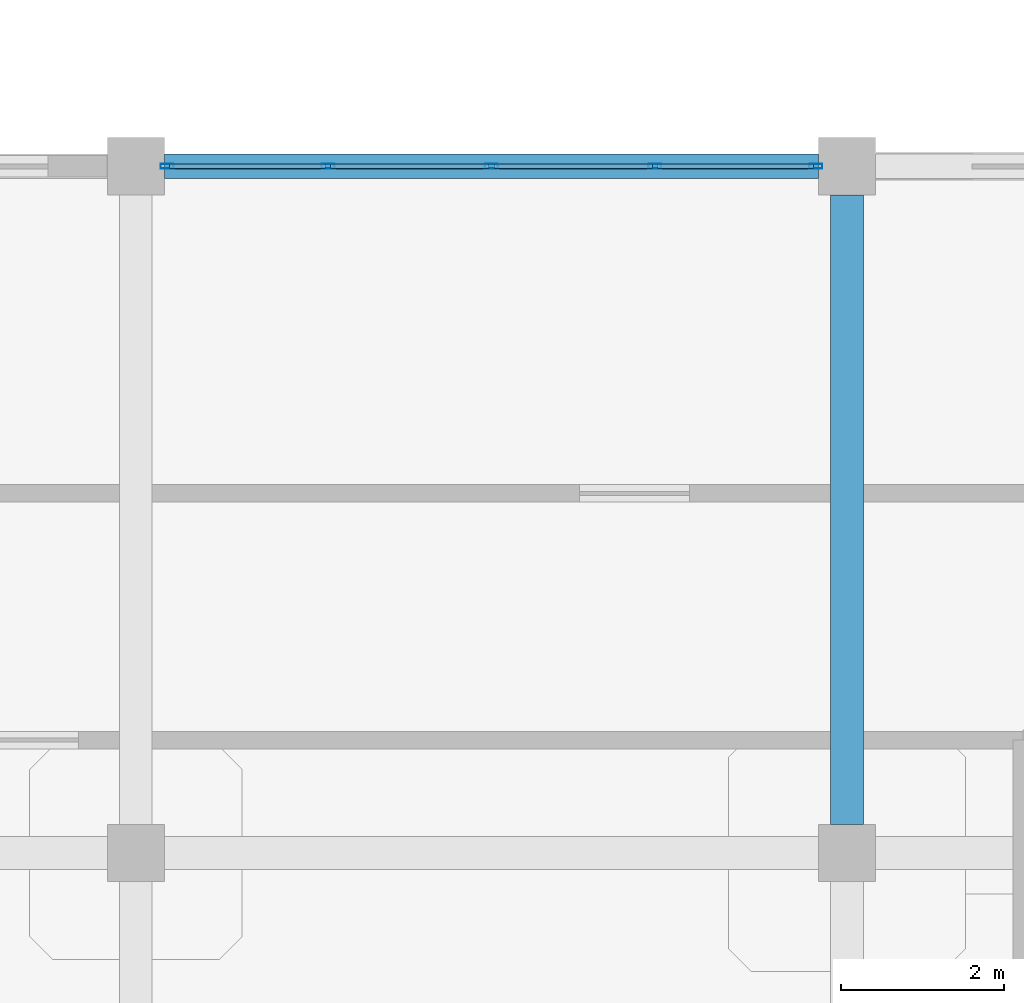
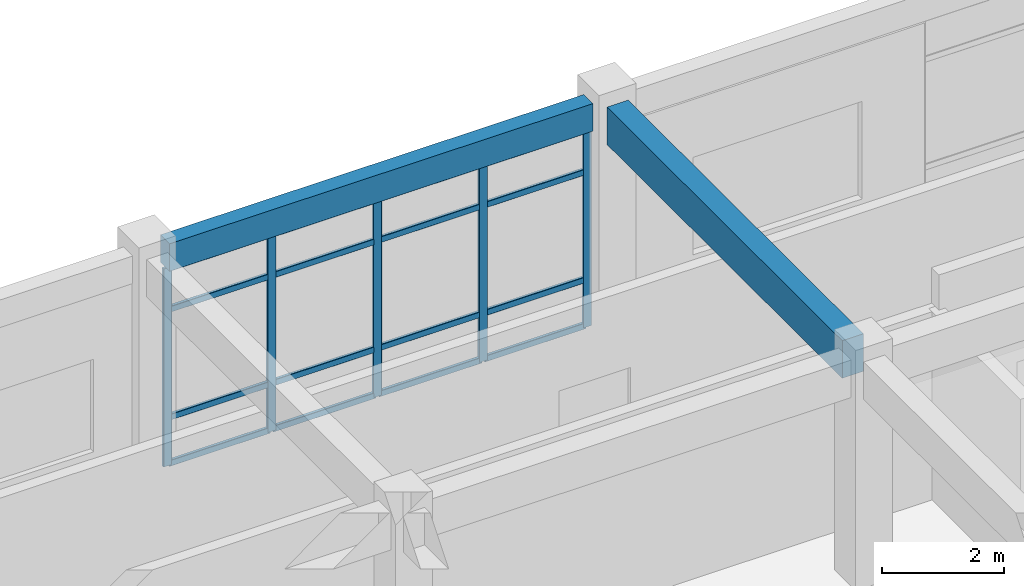
# One storey, part 9 of 64: 21 members, 2 beams, 1 element without a shape of its own.
"""IFC4 building model written with IfcOpenShell, lengths in metres."""

from ifc_helpers import new_model, si_unit, derived_unit, direction, frame, origin, origin_2d, place, context, subcontext, project, spatial, rectangle, hollow_rectangle, extrude, material, layer, layer_set, material_profile, profile_set, type_object, element, aggregate, save


model = new_model("IFC4")

# Units and contexts
model_context = context("Model", 3, precision=1e-05, world=origin(), true_north=direction((0.0, 1.0)))
body_context = subcontext(model_context, "Body", "Model", "MODEL_VIEW")
ifc_project = project(units=[si_unit("LENGTHUNIT", "METRE"), si_unit("AREAUNIT", "SQUARE_METRE"), si_unit("VOLUMEUNIT", "CUBIC_METRE"), si_unit("PLANEANGLEUNIT", "RADIAN"), si_unit("MASSUNIT", "GRAM", prefix="KILO"), derived_unit("THERMALTRANSMITTANCEUNIT", [(si_unit("MASSUNIT", "GRAM", prefix="KILO"), 1), (si_unit("TIMEUNIT", "SECOND"), -3), (si_unit("THERMODYNAMICTEMPERATUREUNIT", "KELVIN"), -1)])], contexts=[model_context])

# Site, building, storey
site_placement = place(None, origin())
site = spatial("IfcSite", under=ifc_project, at=site_placement, CompositionType="ELEMENT")
building_placement = place(site_placement, origin())
building = spatial("IfcBuilding", under=site, at=building_placement, Name="Qinzheling Arcade Emporium", CompositionType="ELEMENT")
storey_placement = place(building_placement, frame((0.0, 0.0, 31.5)))
storey = spatial("IfcBuildingStorey", under=building, at=storey_placement, Name="L07", CompositionType="ELEMENT", Elevation=31.5)

# Curtain wall, members
ifc_material_1 = material(Name="Anodised aluminium and solar-control double glazing", Category="aluminium")
ifc_layer = layer(ifc_material_1, 0.159912109375, Name="Anodised aluminium and solar-control double glazing", Category="aluminium")
ifc_layer_set = layer_set([ifc_layer], Name="Anodised aluminium and solar-control double glazing")
curtain_wall_type = type_object("IfcCurtainWallType", Name="Atrium Clerestory Curtain Wall", PredefinedType="NOTDEFINED", material=ifc_layer_set)
curtain_wall_placement = place(storey_placement, origin())
curtain_wall = element("IfcCurtainWall", 1, at=curtain_wall_placement, inside=storey, type_object=curtain_wall_type, Name="Curtain Wall CW-L07-412", PredefinedType="NOTDEFINED")
ifc_material_2 = material(Name="Anodised aluminium 6063-T6", Category="aluminium")
ifc_material_profile_1 = material_profile(ifc_material_2, hollow_rectangle(XDim=0.06005859375, YDim=0.159912109375, WallThickness=0.00390625, InnerFilletRadius=0.00390625, OuterFilletRadius=0.008056640625, at=origin_2d()), Name="RHS 160x60x4", Category="aluminium")
ifc_profile_set_1 = profile_set([ifc_material_profile_1], Name="Anodised aluminium 6063-T6")
member_type_1 = type_object("IfcMemberType", Name="Curtain Wall Mullion RHS160x60", PredefinedType="MULLION", material=ifc_profile_set_1)
member_1_placement = place(storey_placement, frame((17.781982421875, 42.0, 0.0), z_axis=(0.0, 0.0, 1.0), x_axis=(0.0, 1.0, 0.0)))
member_1 = element("IfcMember", 2, at=member_1_placement, type_object=member_type_1, Name="CW03 mullion 1", PredefinedType="MULLION", context=body_context, shape_type="SweptSolid", body=[
    extrude(hollow_rectangle(XDim=0.06005859375, YDim=0.159912109375, WallThickness=0.00390625, InnerFilletRadius=0.00390625, OuterFilletRadius=0.008056640625, at=origin_2d()), origin(), (0.0, 0.0, 1.0), 3.955078125),
])
member_2_placement = place(storey_placement, frame((19.7509765625, 42.0, 0.0), z_axis=(0.0, 0.0, 1.0), x_axis=(0.0, 1.0, 0.0)))
member_2 = element("IfcMember", 3, at=member_2_placement, type_object=member_type_1, Name="CW03 mullion 2", PredefinedType="MULLION", context=body_context, shape_type="SweptSolid", body=[
    extrude(hollow_rectangle(XDim=0.06005859375, YDim=0.159912109375, WallThickness=0.00390625, InnerFilletRadius=0.00390625, OuterFilletRadius=0.008056640625, at=origin_2d()), origin(), (0.0, 0.0, 1.0), 3.955078125),
])
member_3_placement = place(storey_placement, frame((21.75, 42.0, 0.0), z_axis=(0.0, 0.0, 1.0), x_axis=(0.0, 1.0, 0.0)))
member_3 = element("IfcMember", 4, at=member_3_placement, type_object=member_type_1, Name="CW03 mullion 3", PredefinedType="MULLION", context=body_context, shape_type="SweptSolid", body=[
    extrude(hollow_rectangle(XDim=0.06005859375, YDim=0.159912109375, WallThickness=0.00390625, InnerFilletRadius=0.00390625, OuterFilletRadius=0.008056640625, at=origin_2d()), origin(), (0.0, 0.0, 1.0), 3.955078125),
])
member_4_placement = place(storey_placement, frame((23.7490234375, 42.0, 0.0), z_axis=(0.0, 0.0, 1.0), x_axis=(0.0, 1.0, 0.0)))
member_4 = element("IfcMember", 5, at=member_4_placement, type_object=member_type_1, Name="CW03 mullion 4", PredefinedType="MULLION", context=body_context, shape_type="SweptSolid", body=[
    extrude(hollow_rectangle(XDim=0.06005859375, YDim=0.159912109375, WallThickness=0.00390625, InnerFilletRadius=0.00390625, OuterFilletRadius=0.008056640625, at=origin_2d()), origin(), (0.0, 0.0, 1.0), 3.955078125),
])
member_5_placement = place(storey_placement, frame((25.718017578125, 42.0, 0.0), z_axis=(0.0, 0.0, 1.0), x_axis=(0.0, 1.0, 0.0)))
member_5 = element("IfcMember", 6, at=member_5_placement, type_object=member_type_1, Name="CW03 mullion 5", PredefinedType="MULLION", context=body_context, shape_type="SweptSolid", body=[
    extrude(hollow_rectangle(XDim=0.06005859375, YDim=0.159912109375, WallThickness=0.00390625, InnerFilletRadius=0.00390625, OuterFilletRadius=0.008056640625, at=origin_2d()), origin(), (0.0, 0.0, 1.0), 3.955078125),
])
ifc_material_profile_2 = material_profile(ifc_material_2, hollow_rectangle(XDim=0.06005859375, YDim=0.1201171875, WallThickness=0.00390625, InnerFilletRadius=0.00390625, OuterFilletRadius=0.008056640625, at=origin_2d()), Name="RHS 120x60x4", Category="aluminium")
ifc_profile_set_2 = profile_set([ifc_material_profile_2], Name="Anodised aluminium 6063-T6")
member_type_2 = type_object("IfcMemberType", Name="Curtain Wall Transom RHS120x60", PredefinedType="USERDEFINED", material=ifc_profile_set_2)
member_6_placement = place(storey_placement, frame((17.81201171875, 42.0, 0.030029296875), z_axis=(1.0, 0.0, 0.0), x_axis=(0.0, 1.0, 0.0)))
member_6 = element("IfcMember", 7, at=member_6_placement, type_object=member_type_2, Name="CW03 transom 1.1", ObjectType="TRANSOM", PredefinedType="USERDEFINED", context=body_context, shape_type="SweptSolid", body=[
    extrude(hollow_rectangle(XDim=0.06005859375, YDim=0.1201171875, WallThickness=0.00390625, InnerFilletRadius=0.00390625, OuterFilletRadius=0.008056640625, at=origin_2d()), origin(), (0.0, 0.0, 1.0), 1.908935546875),
])
member_7_placement = place(storey_placement, frame((17.81201171875, 42.0, 0.949951171875), z_axis=(1.0, 0.0, 0.0), x_axis=(0.0, 1.0, 0.0)))
member_7 = element("IfcMember", 8, at=member_7_placement, type_object=member_type_2, Name="CW03 transom 1.2", ObjectType="TRANSOM", PredefinedType="USERDEFINED", context=body_context, shape_type="SweptSolid", body=[
    extrude(hollow_rectangle(XDim=0.06005859375, YDim=0.1201171875, WallThickness=0.00390625, InnerFilletRadius=0.00390625, OuterFilletRadius=0.008056640625, at=origin_2d()), origin(), (0.0, 0.0, 1.0), 1.908935546875),
])
member_8_placement = place(storey_placement, frame((17.81201171875, 42.0, 3.10498046875), z_axis=(1.0, 0.0, 0.0), x_axis=(0.0, 1.0, 0.0)))
member_8 = element("IfcMember", 9, at=member_8_placement, type_object=member_type_2, Name="CW03 transom 1.3", ObjectType="TRANSOM", PredefinedType="USERDEFINED", context=body_context, shape_type="SweptSolid", body=[
    extrude(hollow_rectangle(XDim=0.06005859375, YDim=0.1201171875, WallThickness=0.00390625, InnerFilletRadius=0.00390625, OuterFilletRadius=0.008056640625, at=origin_2d()), origin(), (0.0, 0.0, 1.0), 1.908935546875),
])
member_9_placement = place(storey_placement, frame((17.81201171875, 42.0, 3.925048828125), z_axis=(1.0, 0.0, 0.0), x_axis=(0.0, 1.0, 0.0)))
member_9 = element("IfcMember", 10, at=member_9_placement, type_object=member_type_2, Name="CW03 transom 1.4", ObjectType="TRANSOM", PredefinedType="USERDEFINED", context=body_context, shape_type="SweptSolid", body=[
    extrude(hollow_rectangle(XDim=0.06005859375, YDim=0.1201171875, WallThickness=0.00390625, InnerFilletRadius=0.00390625, OuterFilletRadius=0.008056640625, at=origin_2d()), origin(), (0.0, 0.0, 1.0), 1.908935546875),
])
member_10_placement = place(storey_placement, frame((19.781005859375, 42.0, 0.030029296875), z_axis=(1.0, 0.0, 0.0), x_axis=(0.0, 1.0, 0.0)))
member_10 = element("IfcMember", 11, at=member_10_placement, type_object=member_type_2, Name="CW03 transom 2.1", ObjectType="TRANSOM", PredefinedType="USERDEFINED", context=body_context, shape_type="SweptSolid", body=[
    extrude(hollow_rectangle(XDim=0.06005859375, YDim=0.1201171875, WallThickness=0.00390625, InnerFilletRadius=0.00390625, OuterFilletRadius=0.008056640625, at=origin_2d()), origin(), (0.0, 0.0, 1.0), 1.93896484375),
])
member_11_placement = place(storey_placement, frame((19.781005859375, 42.0, 0.949951171875), z_axis=(1.0, 0.0, 0.0), x_axis=(0.0, 1.0, 0.0)))
member_11 = element("IfcMember", 12, at=member_11_placement, type_object=member_type_2, Name="CW03 transom 2.2", ObjectType="TRANSOM", PredefinedType="USERDEFINED", context=body_context, shape_type="SweptSolid", body=[
    extrude(hollow_rectangle(XDim=0.06005859375, YDim=0.1201171875, WallThickness=0.00390625, InnerFilletRadius=0.00390625, OuterFilletRadius=0.008056640625, at=origin_2d()), origin(), (0.0, 0.0, 1.0), 1.93896484375),
])
member_12_placement = place(storey_placement, frame((19.781005859375, 42.0, 3.10498046875), z_axis=(1.0, 0.0, 0.0), x_axis=(0.0, 1.0, 0.0)))
member_12 = element("IfcMember", 13, at=member_12_placement, type_object=member_type_2, Name="CW03 transom 2.3", ObjectType="TRANSOM", PredefinedType="USERDEFINED", context=body_context, shape_type="SweptSolid", body=[
    extrude(hollow_rectangle(XDim=0.06005859375, YDim=0.1201171875, WallThickness=0.00390625, InnerFilletRadius=0.00390625, OuterFilletRadius=0.008056640625, at=origin_2d()), origin(), (0.0, 0.0, 1.0), 1.93896484375),
])
member_13_placement = place(storey_placement, frame((19.781005859375, 42.0, 3.925048828125), z_axis=(1.0, 0.0, 0.0), x_axis=(0.0, 1.0, 0.0)))
member_13 = element("IfcMember", 14, at=member_13_placement, type_object=member_type_2, Name="CW03 transom 2.4", ObjectType="TRANSOM", PredefinedType="USERDEFINED", context=body_context, shape_type="SweptSolid", body=[
    extrude(hollow_rectangle(XDim=0.06005859375, YDim=0.1201171875, WallThickness=0.00390625, InnerFilletRadius=0.00390625, OuterFilletRadius=0.008056640625, at=origin_2d()), origin(), (0.0, 0.0, 1.0), 1.93896484375),
])
member_14_placement = place(storey_placement, frame((21.780029296875, 42.0, 0.030029296875), z_axis=(1.0, 0.0, 0.0), x_axis=(0.0, 1.0, 0.0)))
member_14 = element("IfcMember", 15, at=member_14_placement, type_object=member_type_2, Name="CW03 transom 3.1", ObjectType="TRANSOM", PredefinedType="USERDEFINED", context=body_context, shape_type="SweptSolid", body=[
    extrude(hollow_rectangle(XDim=0.06005859375, YDim=0.1201171875, WallThickness=0.00390625, InnerFilletRadius=0.00390625, OuterFilletRadius=0.008056640625, at=origin_2d()), origin(), (0.0, 0.0, 1.0), 1.93896484375),
])
member_15_placement = place(storey_placement, frame((21.780029296875, 42.0, 0.949951171875), z_axis=(1.0, 0.0, 0.0), x_axis=(0.0, 1.0, 0.0)))
member_15 = element("IfcMember", 16, at=member_15_placement, type_object=member_type_2, Name="CW03 transom 3.2", ObjectType="TRANSOM", PredefinedType="USERDEFINED", context=body_context, shape_type="SweptSolid", body=[
    extrude(hollow_rectangle(XDim=0.06005859375, YDim=0.1201171875, WallThickness=0.00390625, InnerFilletRadius=0.00390625, OuterFilletRadius=0.008056640625, at=origin_2d()), origin(), (0.0, 0.0, 1.0), 1.93896484375),
])
member_16_placement = place(storey_placement, frame((21.780029296875, 42.0, 3.10498046875), z_axis=(1.0, 0.0, 0.0), x_axis=(0.0, 1.0, 0.0)))
member_16 = element("IfcMember", 17, at=member_16_placement, type_object=member_type_2, Name="CW03 transom 3.3", ObjectType="TRANSOM", PredefinedType="USERDEFINED", context=body_context, shape_type="SweptSolid", body=[
    extrude(hollow_rectangle(XDim=0.06005859375, YDim=0.1201171875, WallThickness=0.00390625, InnerFilletRadius=0.00390625, OuterFilletRadius=0.008056640625, at=origin_2d()), origin(), (0.0, 0.0, 1.0), 1.93896484375),
])
member_17_placement = place(storey_placement, frame((21.780029296875, 42.0, 3.925048828125), z_axis=(1.0, 0.0, 0.0), x_axis=(0.0, 1.0, 0.0)))
member_17 = element("IfcMember", 18, at=member_17_placement, type_object=member_type_2, Name="CW03 transom 3.4", ObjectType="TRANSOM", PredefinedType="USERDEFINED", context=body_context, shape_type="SweptSolid", body=[
    extrude(hollow_rectangle(XDim=0.06005859375, YDim=0.1201171875, WallThickness=0.00390625, InnerFilletRadius=0.00390625, OuterFilletRadius=0.008056640625, at=origin_2d()), origin(), (0.0, 0.0, 1.0), 1.93896484375),
])
member_18_placement = place(storey_placement, frame((23.779052734375, 42.0, 0.030029296875), z_axis=(1.0, 0.0, 0.0), x_axis=(0.0, 1.0, 0.0)))
member_18 = element("IfcMember", 19, at=member_18_placement, type_object=member_type_2, Name="CW03 transom 4.1", ObjectType="TRANSOM", PredefinedType="USERDEFINED", context=body_context, shape_type="SweptSolid", body=[
    extrude(hollow_rectangle(XDim=0.06005859375, YDim=0.1201171875, WallThickness=0.00390625, InnerFilletRadius=0.00390625, OuterFilletRadius=0.008056640625, at=origin_2d()), origin(), (0.0, 0.0, 1.0), 1.908935546875),
])
member_19_placement = place(storey_placement, frame((23.779052734375, 42.0, 0.949951171875), z_axis=(1.0, 0.0, 0.0), x_axis=(0.0, 1.0, 0.0)))
member_19 = element("IfcMember", 20, at=member_19_placement, type_object=member_type_2, Name="CW03 transom 4.2", ObjectType="TRANSOM", PredefinedType="USERDEFINED", context=body_context, shape_type="SweptSolid", body=[
    extrude(hollow_rectangle(XDim=0.06005859375, YDim=0.1201171875, WallThickness=0.00390625, InnerFilletRadius=0.00390625, OuterFilletRadius=0.008056640625, at=origin_2d()), origin(), (0.0, 0.0, 1.0), 1.908935546875),
])
member_20_placement = place(storey_placement, frame((23.779052734375, 42.0, 3.10498046875), z_axis=(1.0, 0.0, 0.0), x_axis=(0.0, 1.0, 0.0)))
member_20 = element("IfcMember", 21, at=member_20_placement, type_object=member_type_2, Name="CW03 transom 4.3", ObjectType="TRANSOM", PredefinedType="USERDEFINED", context=body_context, shape_type="SweptSolid", body=[
    extrude(hollow_rectangle(XDim=0.06005859375, YDim=0.1201171875, WallThickness=0.00390625, InnerFilletRadius=0.00390625, OuterFilletRadius=0.008056640625, at=origin_2d()), origin(), (0.0, 0.0, 1.0), 1.908935546875),
])
member_21_placement = place(storey_placement, frame((23.779052734375, 42.0, 3.925048828125), z_axis=(1.0, 0.0, 0.0), x_axis=(0.0, 1.0, 0.0)))
member_21 = element("IfcMember", 22, at=member_21_placement, type_object=member_type_2, Name="CW03 transom 4.4", ObjectType="TRANSOM", PredefinedType="USERDEFINED", context=body_context, shape_type="SweptSolid", body=[
    extrude(hollow_rectangle(XDim=0.06005859375, YDim=0.1201171875, WallThickness=0.00390625, InnerFilletRadius=0.00390625, OuterFilletRadius=0.008056640625, at=origin_2d()), origin(), (0.0, 0.0, 1.0), 1.908935546875),
])
aggregate(curtain_wall, [member_1, member_2, member_3, member_4, member_5, member_6, member_7, member_8, member_9, member_10, member_11, member_12, member_13, member_14, member_15, member_16, member_17, member_18, member_19, member_20, member_21])

# Beams
ifc_material_3 = material(Name="Concrete C40", Category="concrete")
ifc_material_profile_3 = material_profile(ifc_material_3, rectangle(XDim=0.39990234375, YDim=0.75, at=origin_2d()), Name="RC 400x750", Category="concrete")
ifc_profile_set_3 = profile_set([ifc_material_profile_3], Name="Concrete C40")
beam_type_1 = type_object("IfcBeamType", Name="RC Interior Tie Beam 400x750 C40", PredefinedType="BEAM", material=ifc_profile_set_3)
beam_1_placement = place(storey_placement, frame((26.10009765625, 33.949951171875, 4.14501953125), z_axis=(0.0, 1.0, 0.0), x_axis=(-1.0, 0.0, 0.0)))
element("IfcBeam", 23, at=beam_1_placement, inside=storey, type_object=beam_type_1, Name="Beam BM-L07-Y-4-E", PredefinedType="BEAM", context=body_context, shape_type="SweptSolid", body=[
    extrude(rectangle(XDim=0.39990234375, YDim=0.75, at=origin_2d()), origin(), (0.0, 0.0, 1.0), 7.699951171875),
])
ifc_material_profile_4 = material_profile(ifc_material_3, rectangle(XDim=0.300048828125, YDim=0.550048828125, at=origin_2d()), Name="RC 300x550", Category="concrete")
ifc_profile_set_4 = profile_set([ifc_material_profile_4], Name="Concrete C40")
beam_type_2 = type_object("IfcBeamType", Name="RC Terrace Spandrel Beam 300x550 C40", PredefinedType="SPANDREL", material=ifc_profile_set_4)
beam_2_placement = place(storey_placement, frame((17.75, 42.0, 4.2451171875), z_axis=(1.0, 0.0, 0.0), x_axis=(0.0, 1.0, 0.0)))
element("IfcBeam", 24, at=beam_2_placement, inside=storey, type_object=beam_type_2, Name="Beam BM-L07-X-F-3", PredefinedType="SPANDREL", context=body_context, shape_type="SweptSolid", body=[
    extrude(rectangle(XDim=0.300048828125, YDim=0.550048828125, at=origin_2d()), origin(), (0.0, 0.0, 1.0), 8.0),
])

save(model, "model.ifc")
